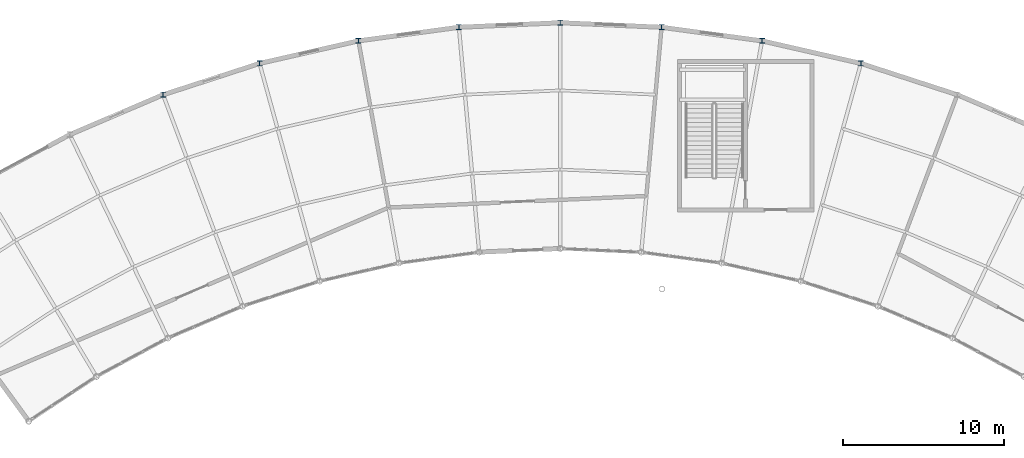
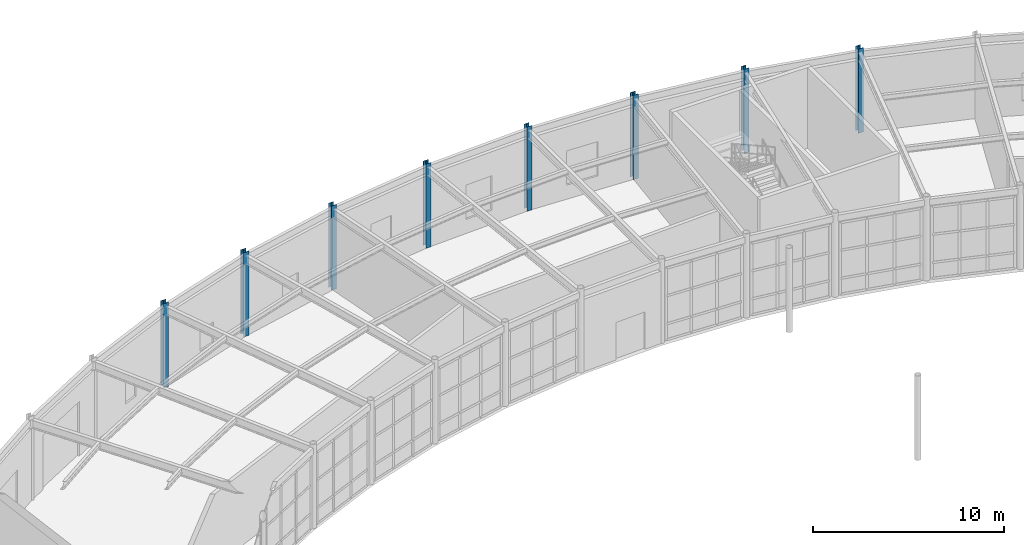
# One storey, part 15 of 87: 8 columns.
"""IFC4 building model written with IfcOpenShell, lengths in metres."""

from ifc_helpers import new_model, si_unit, direction, frame, origin, origin_2d, place, context, subcontext, project, spatial, i_section, extrude, material, material_profile, profile_set, type_object, element, save


model = new_model("IFC4")

# Units and contexts
model_context = context("Model", 3, precision=1e-05, world=origin(), true_north=direction((0.0, 1.0)))
body_context = subcontext(model_context, "Body", "Model", "MODEL_VIEW")
ifc_project = project(units=[si_unit("LENGTHUNIT", "METRE"), si_unit("AREAUNIT", "SQUARE_METRE"), si_unit("VOLUMEUNIT", "CUBIC_METRE"), si_unit("PLANEANGLEUNIT", "RADIAN"), si_unit("MASSUNIT", "GRAM", prefix="KILO")], contexts=[model_context])

# Site, building, storey
site_placement = place(None, origin())
site = spatial("IfcSite", under=ifc_project, at=site_placement, CompositionType="ELEMENT")
building_placement = place(site_placement, origin())
building = spatial("IfcBuilding", under=site, at=building_placement, Name="Selat Folded Stagehouse", CompositionType="ELEMENT")
storey_placement = place(building_placement, origin())
storey = spatial("IfcBuildingStorey", under=building, at=storey_placement, Name="L00", CompositionType="ELEMENT", Elevation=0.0)

# Columns
ifc_material = material(Name="Steel S355", Category="steel")
ifc_material_profile = material_profile(ifc_material, i_section(OverallWidth=0.30908203125, OverallDepth=0.320556640625, WebThickness=0.013916015625, FlangeThickness=0.021728515625, FilletRadius=0.01513671875, at=origin_2d()), Name="UKC 305x305x137")
ifc_profile_set = profile_set([ifc_material_profile], Name="Steel S355")
column_type = type_object("IfcColumnType", Name="COL-UKC-305x305x137", PredefinedType="COLUMN", material=ifc_profile_set)
for number, where, z_axis, x_axis, name in (
    (1, (67.8037109375, 103.536376953125, 0.0), (0.0, 0.0, 1.0), (1.0, 0.0, 0.0), "L00 column STK-V6OUT-03"),
    (2, (73.77734375, 105.477294921875, 0.0), (0.0, 0.0, 1.0), (1.0, 0.0, 0.0), "L00 column STK-V6OUT-04"),
    (3, (79.90087890625, 106.875, 0.0), (0.0, 0.0, 1.0), (1.0, 0.0, 0.0), "L00 column STK-V6OUT-05"),
    (4, (86.125244140625, 107.71826171875, 0.0), (0.0, 0.0, 1.0), (1.0, 0.0, 0.0), "L00 column STK-V6OUT-06"),
    (5, (92.39990234375, 108.0, 0.0), (0.0, 0.0, 1.0), (1.0, 0.0, 0.0), "L00 column STK-V6OUT-07"),
    (6, (98.6748046875, 107.71826171875, 0.0), (0.0, 0.0, 1.0), (1.0, 0.0, 0.0), "L00 column STK-V6OUT-08"),
    (7, (104.89892578125, 106.875, 0.0), (0.0, 0.0, 1.0), (1.0, 0.0, 0.0), "L00 column STK-V6OUT-09"),
    (8, (111.022705078125, 105.477294921875, 0.0), (0.0, 0.0, 1.0), (1.0, 0.0, 0.0), "L00 column STK-V6OUT-10"),
):
    element("IfcColumn", number, at=place(storey_placement, frame(where, z_axis=z_axis, x_axis=x_axis)), inside=storey, type_object=column_type, Name=name, PredefinedType="COLUMN", context=body_context, shape_type="SweptSolid", body=[
        extrude(i_section(OverallWidth=0.30908203125, OverallDepth=0.320556640625, WebThickness=0.013916015625, FlangeThickness=0.021728515625, FilletRadius=0.01513671875, at=origin_2d()), origin(), (0.0, 0.0, 1.0), 5.39990234375),
    ])

save(model, "model.ifc")
